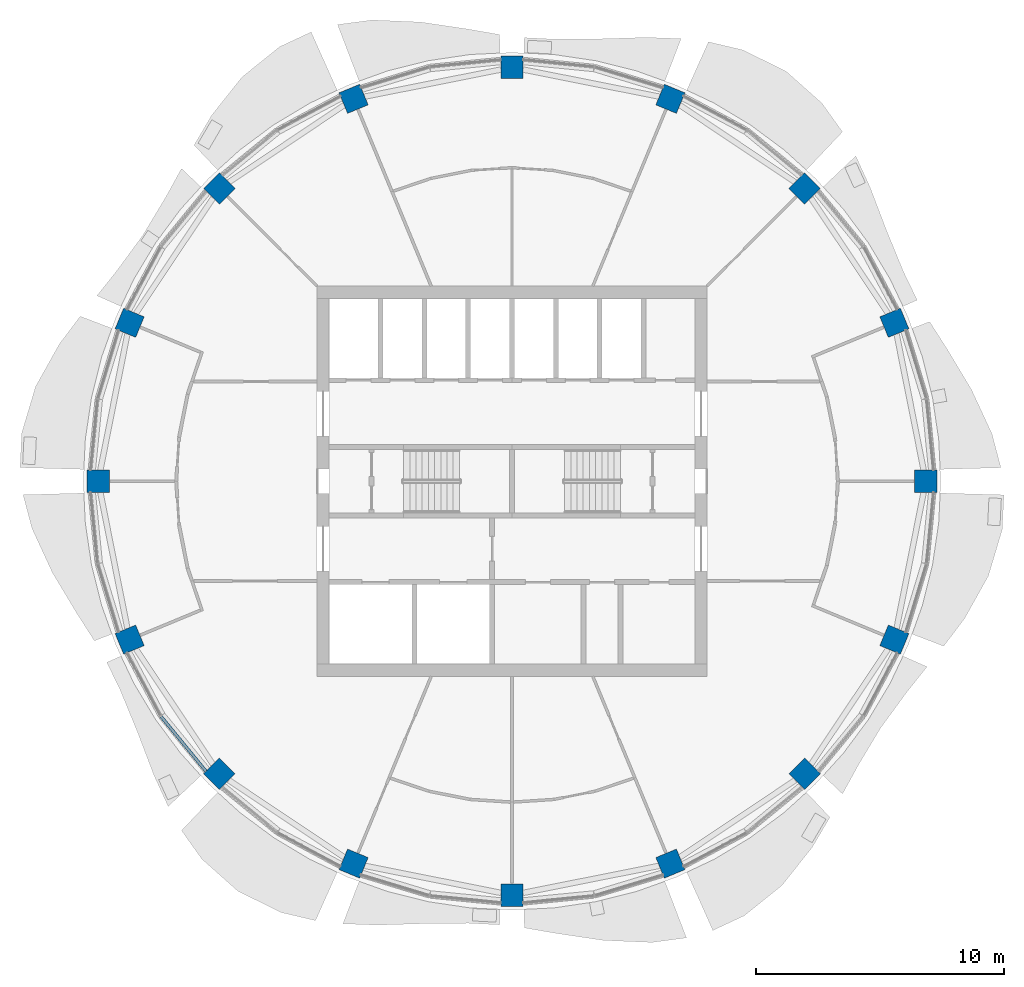
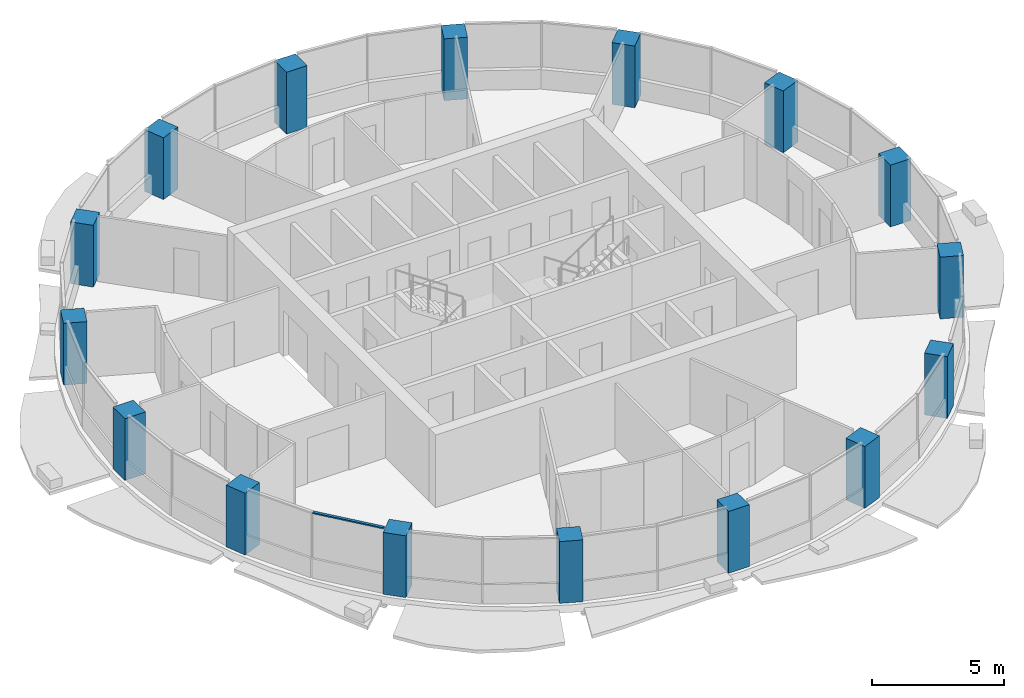
# One storey, part 1 of 15: 16 columns, 1 member, 1 element without a shape of its own.
"""IFC4 building model written with IfcOpenShell, lengths in metres."""

from ifc_helpers import new_model, si_unit, direction, frame, origin, origin_2d, place, context, subcontext, project, spatial, rectangle, extrude, material, material_profile, profile_set, type_object, element, aggregate, save


model = new_model("IFC4")

# Units and contexts
model_context = context("Model", 3, precision=1e-05, world=origin(), true_north=direction((0.0, 1.0)))
body_context = subcontext(model_context, "Body", "Model", "MODEL_VIEW")
ifc_project = project(units=[si_unit("LENGTHUNIT", "METRE"), si_unit("AREAUNIT", "SQUARE_METRE"), si_unit("VOLUMEUNIT", "CUBIC_METRE"), si_unit("PLANEANGLEUNIT", "RADIAN"), si_unit("MASSUNIT", "GRAM", prefix="KILO")], contexts=[model_context])

# Site, building, storey
site_placement = place(None, origin())
site = spatial("IfcSite", under=ifc_project, at=site_placement, CompositionType="ELEMENT")
building_placement = place(site_placement, origin())
building = spatial("IfcBuilding", under=site, at=building_placement, Name="Polderwave Tower", CompositionType="ELEMENT")
storey_placement = place(building_placement, frame((0.0, 0.0, 201.050048828125)))
storey = spatial("IfcBuildingStorey", under=building, at=storey_placement, Name="L54", CompositionType="ELEMENT", Elevation=201.050048828125)

# Columns
ifc_material_1 = material(Name="Concrete C60/75", Category="concrete")
ifc_material_profile_1 = material_profile(ifc_material_1, rectangle(XDim=0.89990234375, YDim=0.89990234375, at=origin_2d()), Name="RC 900x900")
ifc_profile_set_1 = profile_set([ifc_material_profile_1], Name="Concrete C60/75")
column_type = type_object("IfcColumnType", Name="RC COLUMN 900x900 C60/75", PredefinedType="COLUMN", material=ifc_profile_set_1)
for number, where, z_axis, x_axis, name in (
    (1, (16.699951171875, 0.0, 0.0), (0.0, 0.0, 1.0), (1.0, 0.0, 0.0), "Ring column 01"),
    (2, (15.4287109375, 6.390869140625, 0.0), (0.0, 0.0, 1.0), (0.923879532511, 0.382683432365, 0.0), "Ring column 02"),
    (3, (11.80859375, 11.80859375, 0.0), (0.0, 0.0, 1.0), (0.707106781187, 0.707106781187, 0.0), "Ring column 03"),
    (4, (6.390869140625, 15.4287109375, 0.0), (0.0, 0.0, 1.0), (0.382683432365, 0.923879532511, 0.0), "Ring column 04"),
    (5, (0.0, 16.699951171875, 0.0), (0.0, 0.0, 1.0), (0.0, 1.0, 0.0), "Ring column 05"),
    (6, (-6.390869140625, 15.4287109375, 0.0), (0.0, 0.0, 1.0), (-0.382683432365, 0.923879532511, 0.0), "Ring column 06"),
    (7, (-11.80859375, 11.80859375, 0.0), (0.0, 0.0, 1.0), (-0.707106781187, 0.707106781187, 0.0), "Ring column 07"),
    (8, (-15.4287109375, 6.390869140625, 0.0), (0.0, 0.0, 1.0), (-0.923879532511, 0.382683432365, 0.0), "Ring column 08"),
    (9, (-16.699951171875, 0.0, 0.0), (0.0, 0.0, 1.0), (-1.0, 0.0, 0.0), "Ring column 09"),
    (10, (-15.4287109375, -6.390869140625, 0.0), (0.0, 0.0, 1.0), (-0.923879532511, -0.382683432365, 0.0), "Ring column 10"),
    (11, (-11.80859375, -11.80859375, 0.0), (0.0, 0.0, 1.0), (-0.707106781187, -0.707106781187, 0.0), "Ring column 11"),
    (12, (-6.390869140625, -15.4287109375, 0.0), (0.0, 0.0, 1.0), (-0.382683432365, -0.923879532511, 0.0), "Ring column 12"),
    (13, (0.0, -16.699951171875, 0.0), (0.0, 0.0, 1.0), (0.0, -1.0, 0.0), "Ring column 13"),
    (14, (6.390869140625, -15.4287109375, 0.0), (0.0, 0.0, 1.0), (0.382683432365, -0.923879532511, 0.0), "Ring column 14"),
    (15, (11.80859375, -11.80859375, 0.0), (0.0, 0.0, 1.0), (0.707106781187, -0.707106781187, 0.0), "Ring column 15"),
    (16, (15.4287109375, -6.390869140625, 0.0), (0.0, 0.0, 1.0), (0.923879532511, -0.382683432365, 0.0), "Ring column 16"),
):
    element("IfcColumn", number, at=place(storey_placement, frame(where, z_axis=z_axis, x_axis=x_axis)), inside=storey, type_object=column_type, Name=name, PredefinedType="COLUMN", context=body_context, shape_type="SweptSolid", body=[
        extrude(rectangle(XDim=0.89990234375, YDim=0.89990234375, at=origin_2d()), origin(), (0.0, 0.0, 1.0), 2.849853515625),
    ])

# Curtain wall, member
ifc_material_2 = material(Name="Aluminium 6063-T6 and glass", Category="aluminium")
curtain_wall_type = type_object("IfcCurtainWallType", Name="Office ribbon glazing wall", PredefinedType="NOTDEFINED", material=ifc_material_2)
curtain_wall_placement = place(storey_placement, origin())
curtain_wall = element("IfcCurtainWall", 17, at=curtain_wall_placement, inside=storey, type_object=curtain_wall_type, Name="CW3 L54 09", PredefinedType="NOTDEFINED")
ifc_material_3 = material(Name="Aluminium 6063-T6", Category="aluminium")
ifc_material_profile_2 = material_profile(ifc_material_3, rectangle(XDim=0.1201171875, YDim=0.06005859375, at=origin_2d()), Name="AL 60x120")
ifc_profile_set_2 = profile_set([ifc_material_profile_2], Name="Aluminium 6063-T6")
member_type = type_object("IfcMemberType", Name="Office ribbon glazing transom 60x120", PredefinedType="USERDEFINED", material=ifc_profile_set_2)
member_placement = place(storey_placement, frame((-14.15966796875, -9.493408203125, 2.969970703125), z_axis=(0.634388465012, -0.773014408313, 0.0), x_axis=(0.773014408313, 0.634388465012, 0.0)))
member = element("IfcMember", 18, at=member_placement, type_object=member_type, Name="CW3 transom 2", ObjectType="TRANSOM", PredefinedType="USERDEFINED", context=body_context, shape_type="SweptSolid", body=[
    extrude(rectangle(XDim=0.1201171875, YDim=0.06005859375, at=origin_2d()), origin(), (0.0, 0.0, 1.0), 2.863525390625),
])
aggregate(curtain_wall, [member])

save(model, "model.ifc")
